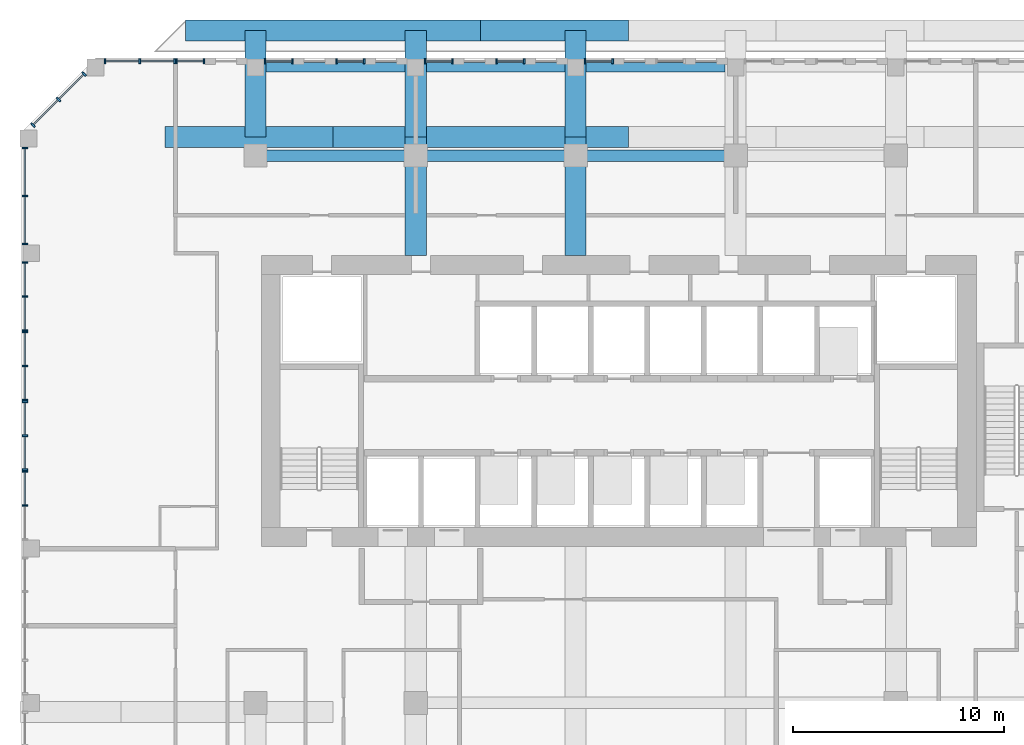
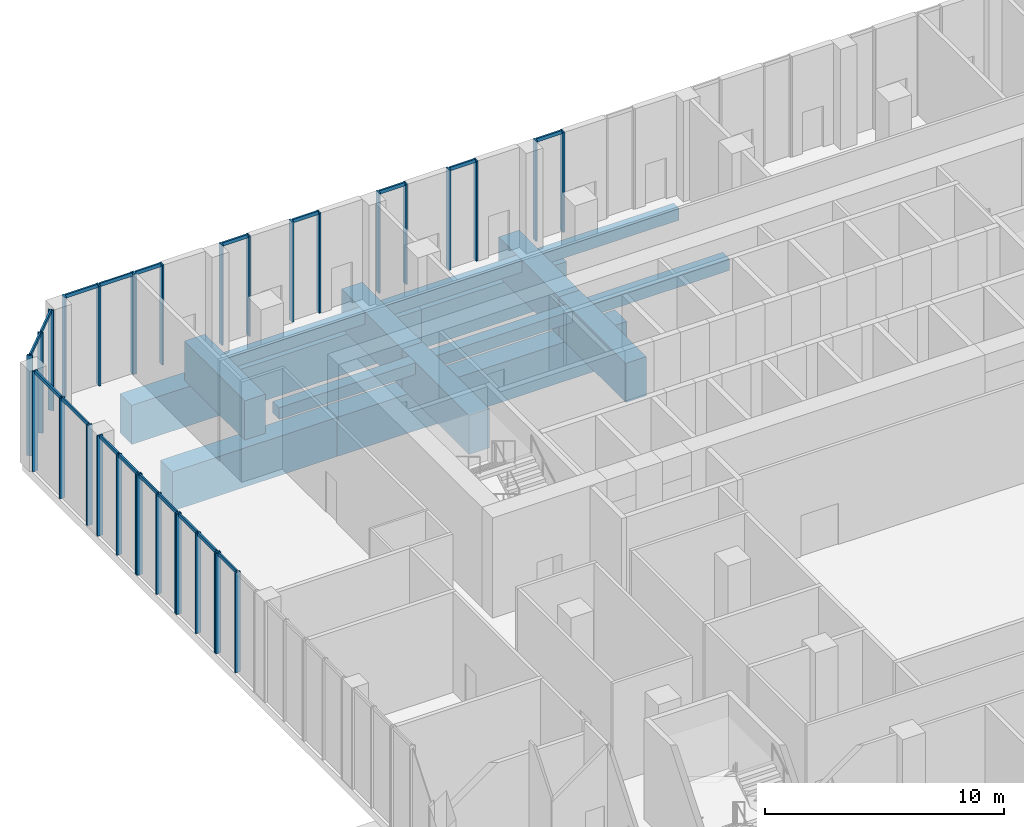
# One storey, part 5 of 19: 51 members, 15 beams, 13 elements without a shape of their own.
"""IFC4 building model written with IfcOpenShell, lengths in metres."""

from ifc_helpers import new_model, si_unit, direction, frame, origin, origin_2d, place, context, subcontext, project, spatial, rectangle, extrude, source, transform, mapped, material, material_profile, profile_set, type_object, element, aggregate, save


model = new_model("IFC4")

# Units and contexts
model_context = context("Model", 3, precision=1e-05, world=origin(), true_north=direction((0.0, 1.0)))
body_context = subcontext(model_context, "Body", "Model", "MODEL_VIEW")
ifc_project = project(units=[si_unit("LENGTHUNIT", "METRE"), si_unit("AREAUNIT", "SQUARE_METRE"), si_unit("VOLUMEUNIT", "CUBIC_METRE"), si_unit("PLANEANGLEUNIT", "RADIAN"), si_unit("MASSUNIT", "GRAM", prefix="KILO")], contexts=[model_context])

# Site, building, storey
site_placement = place(None, origin())
site = spatial("IfcSite", under=ifc_project, at=site_placement, CompositionType="ELEMENT")
building_placement = place(site_placement, origin())
building = spatial("IfcBuilding", under=site, at=building_placement, Name="Kilnfold Tower and Market Hall", CompositionType="ELEMENT")
storey_placement = place(building_placement, frame((0.0, 0.0, 138.5)))
storey = spatial("IfcBuildingStorey", under=building, at=storey_placement, Name="L31", CompositionType="ELEMENT", Elevation=138.5)

# Beams
ifc_material_1 = material(Name="Concrete C60", Category="concrete")
ifc_material_profile_1 = material_profile(ifc_material_1, rectangle(XDim=1.0, YDim=2.0, at=origin_2d()), Name="RC 1000x2000")
ifc_profile_set_1 = profile_set([ifc_material_profile_1], Name="Concrete C60")
beam_type_1 = type_object("IfcBeamType", Name="TRANSFER GIRDER 1000X2000 C60", PredefinedType="BEAM", material=ifc_profile_set_1)
shared_shape_1 = source(origin(), body_context, "Body", "SweptSolid", [
    extrude(rectangle(XDim=1.0, YDim=2.0, at=origin_2d()), origin(), (0.0, 0.0, 1.0), 7.949951171875),
])
beam_1_placement = place(storey_placement, frame((-20.449951171875, 27.5, -3.39990234375), z_axis=(1.0, 0.0, 0.0), x_axis=(0.0, 1.0, 0.0)))
element("IfcBeam", 1, at=beam_1_placement, inside=storey, type_object=beam_type_1, Name="Beam TG2000-B4.3", PredefinedType="BEAM", context=body_context, shape_type="MappedRepresentation", body=[
    mapped(shared_shape_1, transform((0.0, 0.0, 0.0))),
])
shared_shape_2 = source(origin(), body_context, "Body", "SweptSolid", [
    extrude(rectangle(XDim=1.0, YDim=2.0, at=origin_2d()), origin(), (0.0, 0.0, 1.0), 14.0),
])
for number, where, z_axis, x_axis, name in (
    (2, (-19.5, 32.550048828125, -3.39990234375), (1.0, 0.0, 0.0), (0.0, 1.0, 0.0), "Beam TG2000-B4.5"),
    (3, (-12.5, 27.5, -3.39990234375), (1.0, 0.0, 0.0), (0.0, 1.0, 0.0), "Beam TG2000-B4.7"),
):
    element("IfcBeam", number, at=place(storey_placement, frame(where, z_axis=z_axis, x_axis=x_axis)), inside=storey, type_object=beam_type_1, Name=name, PredefinedType="BEAM", context=body_context, shape_type="MappedRepresentation", body=[
        mapped(shared_shape_2, transform((0.0, 0.0, 0.0))),
    ])
shared_shape_3 = source(origin(), body_context, "Body", "SweptSolid", [
    extrude(rectangle(XDim=1.0, YDim=2.0, at=origin_2d()), origin(), (0.0, 0.0, 1.0), 7.0),
])
beam_2_placement = place(storey_placement, frame((-5.5, 32.550048828125, -3.39990234375), z_axis=(1.0, 0.0, 0.0), x_axis=(0.0, 1.0, 0.0)))
element("IfcBeam", 4, at=beam_2_placement, inside=storey, type_object=beam_type_1, Name="Beam TG2000-B4.10", PredefinedType="BEAM", context=body_context, shape_type="MappedRepresentation", body=[
    mapped(shared_shape_3, transform((0.0, 0.0, 0.0))),
])
shared_shape_4 = source(origin(), body_context, "Body", "SweptSolid", [
    extrude(rectangle(XDim=1.0, YDim=2.0, at=origin_2d()), origin(), (0.0, 0.0, 1.0), 5.050048828125),
])
for number, where, z_axis, x_axis, name in (
    (5, (-16.169921875, 27.5, -1.39990234375), (0.0, 1.0, 0.0), (-1.0, 0.0, 0.0), "Beam TG2000-B4.30"),
    (6, (-8.580078125, 27.5, -1.39990234375), (0.0, 1.0, 0.0), (-1.0, 0.0, 0.0), "Beam TG2000-B4.34"),
    (7, (-1.0, 27.5, -1.39990234375), (0.0, 1.0, 0.0), (-1.0, 0.0, 0.0), "Beam TG2000-B4.38"),
):
    element("IfcBeam", number, at=place(storey_placement, frame(where, z_axis=z_axis, x_axis=x_axis)), inside=storey, type_object=beam_type_1, Name=name, PredefinedType="BEAM", context=body_context, shape_type="MappedRepresentation", body=[
        mapped(shared_shape_4, transform((0.0, 0.0, 0.0))),
    ])
shared_shape_5 = source(origin(), body_context, "Body", "SweptSolid", [
    extrude(rectangle(XDim=1.0, YDim=2.0, at=origin_2d()), origin(), (0.0, 0.0, 1.0), 5.60009765625),
])
for number, where, z_axis, x_axis, name in (
    (8, (-8.580078125, 21.89990234375, -1.39990234375), (0.0, 1.0, 0.0), (-1.0, 0.0, 0.0), "Beam TG2000-B4.33"),
    (9, (-1.0, 21.89990234375, -1.39990234375), (0.0, 1.0, 0.0), (-1.0, 0.0, 0.0), "Beam TG2000-B4.37"),
):
    element("IfcBeam", number, at=place(storey_placement, frame(where, z_axis=z_axis, x_axis=x_axis)), inside=storey, type_object=beam_type_1, Name=name, PredefinedType="BEAM", context=body_context, shape_type="MappedRepresentation", body=[
        mapped(shared_shape_5, transform((0.0, 0.0, 0.0))),
    ])
ifc_material_2 = material(Name="Concrete C45", Category="concrete")
ifc_material_profile_2 = material_profile(ifc_material_2, rectangle(XDim=0.449951171875, YDim=0.60009765625, at=origin_2d()), Name="RC 450x600")
ifc_profile_set_2 = profile_set([ifc_material_profile_2], Name="Concrete C45")
beam_type_2 = type_object("IfcBeamType", Name="EDGE BEAM 450X600 C45", PredefinedType="BEAM", material=ifc_profile_set_2)
shared_shape_6 = source(origin(), body_context, "Body", "SweptSolid", [
    extrude(rectangle(XDim=0.449951171875, YDim=0.60009765625, at=origin_2d()), origin(), (0.0, 0.0, 1.0), 6.58984375),
])
beam_3_placement = place(storey_placement, frame((-15.669921875, 30.800048828125, -0.699951171875), z_axis=(1.0, 0.0, 0.0), x_axis=(0.0, 1.0, 0.0)))
element("IfcBeam", 10, at=beam_3_placement, inside=storey, type_object=beam_type_2, Name="Beam EB600-B4.71", PredefinedType="BEAM", context=body_context, shape_type="MappedRepresentation", body=[
    mapped(shared_shape_6, transform((0.0, 0.0, 0.0))),
])
shared_shape_7 = source(origin(), body_context, "Body", "SweptSolid", [
    extrude(rectangle(XDim=0.449951171875, YDim=0.60009765625, at=origin_2d()), origin(), (0.0, 0.0, 1.0), 6.580078125),
])
for number, where, z_axis, x_axis, name in (
    (11, (-8.080078125, 30.800048828125, -0.699951171875), (1.0, 0.0, 0.0), (0.0, 1.0, 0.0), "Beam EB600-B4.72"),
    (12, (-0.5, 30.800048828125, -0.699951171875), (1.0, 0.0, 0.0), (0.0, 1.0, 0.0), "Beam EB600-B4.73"),
):
    element("IfcBeam", number, at=place(storey_placement, frame(where, z_axis=z_axis, x_axis=x_axis)), inside=storey, type_object=beam_type_2, Name=name, PredefinedType="BEAM", context=body_context, shape_type="MappedRepresentation", body=[
        mapped(shared_shape_7, transform((0.0, 0.0, 0.0))),
    ])
ifc_material_3 = material(Name="Concrete C45", Category="concrete")
ifc_material_profile_3 = material_profile(ifc_material_3, rectangle(XDim=0.550048828125, YDim=0.60009765625, at=origin_2d()), Name="RC 550x600")
ifc_profile_set_3 = profile_set([ifc_material_profile_3], Name="Concrete C45")
beam_type_3 = type_object("IfcBeamType", Name="BEAM 550X600 C45", PredefinedType="BEAM", material=ifc_profile_set_3)
shared_shape_8 = source(origin(), body_context, "Body", "SweptSolid", [
    extrude(rectangle(XDim=0.550048828125, YDim=0.60009765625, at=origin_2d()), origin(), (0.0, 0.0, 1.0), 6.580078125),
])
for number, where, z_axis, x_axis, name in (
    (13, (-8.080078125, 26.6201171875, -0.699951171875), (1.0, 0.0, 0.0), (0.0, 1.0, 0.0), "Beam BB600-B4.68"),
    (14, (-0.5, 26.6201171875, -0.699951171875), (1.0, 0.0, 0.0), (0.0, 1.0, 0.0), "Beam BB600-B4.69"),
):
    element("IfcBeam", number, at=place(storey_placement, frame(where, z_axis=z_axis, x_axis=x_axis)), inside=storey, type_object=beam_type_3, Name=name, PredefinedType="BEAM", context=body_context, shape_type="MappedRepresentation", body=[
        mapped(shared_shape_8, transform((0.0, 0.0, 0.0))),
    ])
shared_shape_9 = source(origin(), body_context, "Body", "SweptSolid", [
    extrude(rectangle(XDim=0.550048828125, YDim=0.60009765625, at=origin_2d()), origin(), (0.0, 0.0, 1.0), 6.58984375),
])
beam_4_placement = place(storey_placement, frame((-15.669921875, 26.6201171875, -0.699951171875), z_axis=(1.0, 0.0, 0.0), x_axis=(0.0, 1.0, 0.0)))
element("IfcBeam", 15, at=beam_4_placement, inside=storey, type_object=beam_type_3, Name="Beam BB600-B4.67", PredefinedType="BEAM", context=body_context, shape_type="MappedRepresentation", body=[
    mapped(shared_shape_9, transform((0.0, 0.0, 0.0))),
])

# Curtain wall, members
ifc_material_4 = material(Name="Aluminium and double glazing", Category="aluminium")
curtain_wall_type = type_object("IfcCurtainWallType", Name="CW SKY LOBBY GLAZING", PredefinedType="NOTDEFINED", material=ifc_material_4)
curtain_wall_1_placement = place(storey_placement, origin())
curtain_wall_1 = element("IfcCurtainWall", 16, at=curtain_wall_1_placement, inside=storey, type_object=curtain_wall_type, Name="Curtain wall CW3 L31 N", PredefinedType="NOTDEFINED")
ifc_material_5 = material(Name="Aluminium", Category="aluminium")
ifc_material_profile_4 = material_profile(ifc_material_5, rectangle(XDim=0.080078125, YDim=0.25, at=origin_2d()), Name="MULLION 80x250")
ifc_profile_set_4 = profile_set([ifc_material_profile_4], Name="Aluminium")
member_type_1 = type_object("IfcMemberType", Name="MULLION 80X250", PredefinedType="MULLION", material=ifc_profile_set_4)
shared_shape_10 = source(origin(), body_context, "Body", "SweptSolid", [
    extrude(rectangle(XDim=0.080078125, YDim=0.25, at=origin_2d()), origin(), (0.0, 0.0, 1.0), 5.1201171875),
])
member_1_placement = place(storey_placement, frame((0.751708984375, 31.10009765625, 0.0), z_axis=(0.0, 0.0, 1.0), x_axis=(-1.0, 0.0, 0.0)))
member_1 = element("IfcMember", 17, at=member_1_placement, type_object=member_type_1, Name="CW3 mullion 1", PredefinedType="MULLION", context=body_context, shape_type="MappedRepresentation", body=[
    mapped(shared_shape_10, transform((0.0, 0.0, 0.0))),
])
member_2_placement = place(storey_placement, frame((-0.56005859375, 31.10009765625, 0.0), z_axis=(0.0, 0.0, 1.0), x_axis=(-1.0, 0.0, 0.0)))
member_2 = element("IfcMember", 18, at=member_2_placement, type_object=member_type_1, Name="CW3 mullion 2", PredefinedType="MULLION", context=body_context, shape_type="MappedRepresentation", body=[
    mapped(shared_shape_10, transform((0.0, 0.0, 0.0))),
])

curtain_wall_2_placement = place(storey_placement, origin())
curtain_wall_2 = element("IfcCurtainWall", 19, at=curtain_wall_2_placement, inside=storey, type_object=curtain_wall_type, Name="Curtain wall CW3 L31 N", PredefinedType="NOTDEFINED")
member_3_placement = place(storey_placement, frame((-3.43994140625, 31.10009765625, 0.0), z_axis=(0.0, 0.0, 1.0), x_axis=(-1.0, 0.0, 0.0)))
member_3 = element("IfcMember", 20, at=member_3_placement, type_object=member_type_1, Name="CW3 mullion 1", PredefinedType="MULLION", context=body_context, shape_type="MappedRepresentation", body=[
    mapped(shared_shape_10, transform((0.0, 0.0, 0.0))),
])
member_4_placement = place(storey_placement, frame((-4.751708984375, 31.10009765625, 0.0), z_axis=(0.0, 0.0, 1.0), x_axis=(-1.0, 0.0, 0.0)))
member_4 = element("IfcMember", 21, at=member_4_placement, type_object=member_type_1, Name="CW3 mullion 2", PredefinedType="MULLION", context=body_context, shape_type="MappedRepresentation", body=[
    mapped(shared_shape_10, transform((0.0, 0.0, 0.0))),
])

curtain_wall_3_placement = place(storey_placement, origin())
curtain_wall_3 = element("IfcCurtainWall", 22, at=curtain_wall_3_placement, inside=storey, type_object=curtain_wall_type, Name="Curtain wall CW3 L31 N", PredefinedType="NOTDEFINED")
member_5_placement = place(storey_placement, frame((-6.83154296875, 31.10009765625, 0.0), z_axis=(0.0, 0.0, 1.0), x_axis=(-1.0, 0.0, 0.0)))
member_5 = element("IfcMember", 23, at=member_5_placement, type_object=member_type_1, Name="CW3 mullion 1", PredefinedType="MULLION", context=body_context, shape_type="MappedRepresentation", body=[
    mapped(shared_shape_10, transform((0.0, 0.0, 0.0))),
])
member_6_placement = place(storey_placement, frame((-8.143310546875, 31.10009765625, 0.0), z_axis=(0.0, 0.0, 1.0), x_axis=(-1.0, 0.0, 0.0)))
member_6 = element("IfcMember", 24, at=member_6_placement, type_object=member_type_1, Name="CW3 mullion 2", PredefinedType="MULLION", context=body_context, shape_type="MappedRepresentation", body=[
    mapped(shared_shape_10, transform((0.0, 0.0, 0.0))),
])

curtain_wall_4_placement = place(storey_placement, origin())
curtain_wall_4 = element("IfcCurtainWall", 25, at=curtain_wall_4_placement, inside=storey, type_object=curtain_wall_type, Name="Curtain wall CW3 L31 N", PredefinedType="NOTDEFINED")
member_7_placement = place(storey_placement, frame((-11.023193359375, 31.10009765625, 0.0), z_axis=(0.0, 0.0, 1.0), x_axis=(-1.0, 0.0, 0.0)))
member_7 = element("IfcMember", 26, at=member_7_placement, type_object=member_type_1, Name="CW3 mullion 1", PredefinedType="MULLION", context=body_context, shape_type="MappedRepresentation", body=[
    mapped(shared_shape_10, transform((0.0, 0.0, 0.0))),
])
member_8_placement = place(storey_placement, frame((-12.3349609375, 31.10009765625, 0.0), z_axis=(0.0, 0.0, 1.0), x_axis=(-1.0, 0.0, 0.0)))
member_8 = element("IfcMember", 27, at=member_8_placement, type_object=member_type_1, Name="CW3 mullion 2", PredefinedType="MULLION", context=body_context, shape_type="MappedRepresentation", body=[
    mapped(shared_shape_10, transform((0.0, 0.0, 0.0))),
])

curtain_wall_5_placement = place(storey_placement, origin())
curtain_wall_5 = element("IfcCurtainWall", 28, at=curtain_wall_5_placement, inside=storey, type_object=curtain_wall_type, Name="Curtain wall CW3 L31 N", PredefinedType="NOTDEFINED")
member_9_placement = place(storey_placement, frame((-14.4150390625, 31.10009765625, 0.0), z_axis=(0.0, 0.0, 1.0), x_axis=(-1.0, 0.0, 0.0)))
member_9 = element("IfcMember", 29, at=member_9_placement, type_object=member_type_1, Name="CW3 mullion 1", PredefinedType="MULLION", context=body_context, shape_type="MappedRepresentation", body=[
    mapped(shared_shape_10, transform((0.0, 0.0, 0.0))),
])
member_10_placement = place(storey_placement, frame((-15.726806640625, 31.10009765625, 0.0), z_axis=(0.0, 0.0, 1.0), x_axis=(-1.0, 0.0, 0.0)))
member_10 = element("IfcMember", 30, at=member_10_placement, type_object=member_type_1, Name="CW3 mullion 2", PredefinedType="MULLION", context=body_context, shape_type="MappedRepresentation", body=[
    mapped(shared_shape_10, transform((0.0, 0.0, 0.0))),
])

curtain_wall_6_placement = place(storey_placement, origin())
curtain_wall_6 = element("IfcCurtainWall", 31, at=curtain_wall_6_placement, inside=storey, type_object=curtain_wall_type, Name="Curtain wall CW3 L31 N", PredefinedType="NOTDEFINED")
member_11_placement = place(storey_placement, frame((-18.606689453125, 31.10009765625, 0.0), z_axis=(0.0, 0.0, 1.0), x_axis=(-1.0, 0.0, 0.0)))
member_11 = element("IfcMember", 32, at=member_11_placement, type_object=member_type_1, Name="CW3 mullion 1", PredefinedType="MULLION", context=body_context, shape_type="MappedRepresentation", body=[
    mapped(shared_shape_10, transform((0.0, 0.0, 0.0))),
])
member_12_placement = place(storey_placement, frame((-19.918212890625, 31.10009765625, 0.0), z_axis=(0.0, 0.0, 1.0), x_axis=(-1.0, 0.0, 0.0)))
member_12 = element("IfcMember", 33, at=member_12_placement, type_object=member_type_1, Name="CW3 mullion 2", PredefinedType="MULLION", context=body_context, shape_type="MappedRepresentation", body=[
    mapped(shared_shape_10, transform((0.0, 0.0, 0.0))),
])

curtain_wall_7_placement = place(storey_placement, origin())
curtain_wall_7 = element("IfcCurtainWall", 34, at=curtain_wall_7_placement, inside=storey, type_object=curtain_wall_type, Name="Curtain wall CW3 L31 N", PredefinedType="NOTDEFINED")
member_13_placement = place(storey_placement, frame((-19.998291015625, 31.10009765625, 0.0), z_axis=(0.0, 0.0, 1.0), x_axis=(-1.0, 0.0, 0.0)))
member_13 = element("IfcMember", 35, at=member_13_placement, type_object=member_type_1, Name="CW3 mullion 1", PredefinedType="MULLION", context=body_context, shape_type="MappedRepresentation", body=[
    mapped(shared_shape_10, transform((0.0, 0.0, 0.0))),
])
member_14_placement = place(storey_placement, frame((-21.654052734375, 31.10009765625, 0.0), z_axis=(0.0, 0.0, 1.0), x_axis=(-1.0, 0.0, 0.0)))
member_14 = element("IfcMember", 36, at=member_14_placement, type_object=member_type_1, Name="CW3 mullion 2", PredefinedType="MULLION", context=body_context, shape_type="MappedRepresentation", body=[
    mapped(shared_shape_10, transform((0.0, 0.0, 0.0))),
])
member_15_placement = place(storey_placement, frame((-23.31005859375, 31.10009765625, 0.0), z_axis=(0.0, 0.0, 1.0), x_axis=(-1.0, 0.0, 0.0)))
member_15 = element("IfcMember", 37, at=member_15_placement, type_object=member_type_1, Name="CW3 mullion 3", PredefinedType="MULLION", context=body_context, shape_type="MappedRepresentation", body=[
    mapped(shared_shape_10, transform((0.0, 0.0, 0.0))),
])

curtain_wall_8_placement = place(storey_placement, origin())
curtain_wall_8 = element("IfcCurtainWall", 38, at=curtain_wall_8_placement, inside=storey, type_object=curtain_wall_type, Name="Curtain wall CW3 L31 NW", PredefinedType="NOTDEFINED")
member_16_placement = place(storey_placement, frame((-24.297119140625, 30.49072265625, 0.0), z_axis=(0.0, 0.0, 1.0), x_axis=(-0.707121065738, -0.707092496347, 0.0)))
member_16 = element("IfcMember", 39, at=member_16_placement, type_object=member_type_1, Name="CW3 mullion 1", PredefinedType="MULLION", context=body_context, shape_type="MappedRepresentation", body=[
    mapped(shared_shape_10, transform((0.0, 0.0, 0.0))),
])
member_17_placement = place(storey_placement, frame((-25.50634765625, 29.281494140625, 0.0), z_axis=(0.0, 0.0, 1.0), x_axis=(-0.707121065738, -0.707092496347, 0.0)))
member_17 = element("IfcMember", 40, at=member_17_placement, type_object=member_type_1, Name="CW3 mullion 2", PredefinedType="MULLION", context=body_context, shape_type="MappedRepresentation", body=[
    mapped(shared_shape_10, transform((0.0, 0.0, 0.0))),
])
member_18_placement = place(storey_placement, frame((-26.7158203125, 28.072265625, 0.0), z_axis=(0.0, 0.0, 1.0), x_axis=(-0.707121065738, -0.707092496347, 0.0)))
member_18 = element("IfcMember", 41, at=member_18_placement, type_object=member_type_1, Name="CW3 mullion 3", PredefinedType="MULLION", context=body_context, shape_type="MappedRepresentation", body=[
    mapped(shared_shape_10, transform((0.0, 0.0, 0.0))),
])

curtain_wall_9_placement = place(storey_placement, origin())
curtain_wall_9 = element("IfcCurtainWall", 42, at=curtain_wall_9_placement, inside=storey, type_object=curtain_wall_type, Name="Curtain wall CW3 L31 W", PredefinedType="NOTDEFINED")
member_19_placement = place(storey_placement, frame((-27.10009765625, 26.99169921875, 0.0), z_axis=(0.0, 0.0, 1.0), x_axis=(0.0, -1.0, 0.0)))
member_19 = element("IfcMember", 43, at=member_19_placement, type_object=member_type_1, Name="CW3 mullion 1", PredefinedType="MULLION", context=body_context, shape_type="MappedRepresentation", body=[
    mapped(shared_shape_10, transform((0.0, 0.0, 0.0))),
])
member_20_placement = place(storey_placement, frame((-27.10009765625, 24.7158203125, 0.0), z_axis=(0.0, 0.0, 1.0), x_axis=(0.0, -1.0, 0.0)))
member_20 = element("IfcMember", 44, at=member_20_placement, type_object=member_type_1, Name="CW3 mullion 2", PredefinedType="MULLION", context=body_context, shape_type="MappedRepresentation", body=[
    mapped(shared_shape_10, transform((0.0, 0.0, 0.0))),
])
member_21_placement = place(storey_placement, frame((-27.10009765625, 22.43994140625, 0.0), z_axis=(0.0, 0.0, 1.0), x_axis=(0.0, -1.0, 0.0)))
member_21 = element("IfcMember", 45, at=member_21_placement, type_object=member_type_1, Name="CW3 mullion 3", PredefinedType="MULLION", context=body_context, shape_type="MappedRepresentation", body=[
    mapped(shared_shape_10, transform((0.0, 0.0, 0.0))),
])

curtain_wall_10_placement = place(storey_placement, origin())
curtain_wall_10 = element("IfcCurtainWall", 46, at=curtain_wall_10_placement, inside=storey, type_object=curtain_wall_type, Name="Curtain wall CW3 L31 W", PredefinedType="NOTDEFINED")
member_22_placement = place(storey_placement, frame((-27.10009765625, 21.56005859375, 0.0), z_axis=(0.0, 0.0, 1.0), x_axis=(0.0, -1.0, 0.0)))
member_22 = element("IfcMember", 47, at=member_22_placement, type_object=member_type_1, Name="CW3 mullion 1", PredefinedType="MULLION", context=body_context, shape_type="MappedRepresentation", body=[
    mapped(shared_shape_10, transform((0.0, 0.0, 0.0))),
])
member_23_placement = place(storey_placement, frame((-27.10009765625, 19.949951171875, 0.0), z_axis=(0.0, 0.0, 1.0), x_axis=(0.0, -1.0, 0.0)))
member_23 = element("IfcMember", 48, at=member_23_placement, type_object=member_type_1, Name="CW3 mullion 2", PredefinedType="MULLION", context=body_context, shape_type="MappedRepresentation", body=[
    mapped(shared_shape_10, transform((0.0, 0.0, 0.0))),
])
member_24_placement = place(storey_placement, frame((-27.10009765625, 18.340087890625, 0.0), z_axis=(0.0, 0.0, 1.0), x_axis=(0.0, -1.0, 0.0)))
member_24 = element("IfcMember", 49, at=member_24_placement, type_object=member_type_1, Name="CW3 mullion 3", PredefinedType="MULLION", context=body_context, shape_type="MappedRepresentation", body=[
    mapped(shared_shape_10, transform((0.0, 0.0, 0.0))),
])

curtain_wall_11_placement = place(storey_placement, origin())
curtain_wall_11 = element("IfcCurtainWall", 50, at=curtain_wall_11_placement, inside=storey, type_object=curtain_wall_type, Name="Curtain wall CW3 L31 W", PredefinedType="NOTDEFINED")
member_25_placement = place(storey_placement, frame((-27.10009765625, 18.260009765625, 0.0), z_axis=(0.0, 0.0, 1.0), x_axis=(0.0, -1.0, 0.0)))
member_25 = element("IfcMember", 51, at=member_25_placement, type_object=member_type_1, Name="CW3 mullion 1", PredefinedType="MULLION", context=body_context, shape_type="MappedRepresentation", body=[
    mapped(shared_shape_10, transform((0.0, 0.0, 0.0))),
])
member_26_placement = place(storey_placement, frame((-27.10009765625, 16.64990234375, 0.0), z_axis=(0.0, 0.0, 1.0), x_axis=(0.0, -1.0, 0.0)))
member_26 = element("IfcMember", 52, at=member_26_placement, type_object=member_type_1, Name="CW3 mullion 2", PredefinedType="MULLION", context=body_context, shape_type="MappedRepresentation", body=[
    mapped(shared_shape_10, transform((0.0, 0.0, 0.0))),
])
member_27_placement = place(storey_placement, frame((-27.10009765625, 15.0400390625, 0.0), z_axis=(0.0, 0.0, 1.0), x_axis=(0.0, -1.0, 0.0)))
member_27 = element("IfcMember", 53, at=member_27_placement, type_object=member_type_1, Name="CW3 mullion 3", PredefinedType="MULLION", context=body_context, shape_type="MappedRepresentation", body=[
    mapped(shared_shape_10, transform((0.0, 0.0, 0.0))),
])

curtain_wall_12_placement = place(storey_placement, origin())
curtain_wall_12 = element("IfcCurtainWall", 54, at=curtain_wall_12_placement, inside=storey, type_object=curtain_wall_type, Name="Curtain wall CW3 L31 W", PredefinedType="NOTDEFINED")
member_28_placement = place(storey_placement, frame((-27.10009765625, 14.9599609375, 0.0), z_axis=(0.0, 0.0, 1.0), x_axis=(0.0, -1.0, 0.0)))
member_28 = element("IfcMember", 55, at=member_28_placement, type_object=member_type_1, Name="CW3 mullion 1", PredefinedType="MULLION", context=body_context, shape_type="MappedRepresentation", body=[
    mapped(shared_shape_10, transform((0.0, 0.0, 0.0))),
])
member_29_placement = place(storey_placement, frame((-27.10009765625, 13.35009765625, 0.0), z_axis=(0.0, 0.0, 1.0), x_axis=(0.0, -1.0, 0.0)))
member_29 = element("IfcMember", 56, at=member_29_placement, type_object=member_type_1, Name="CW3 mullion 2", PredefinedType="MULLION", context=body_context, shape_type="MappedRepresentation", body=[
    mapped(shared_shape_10, transform((0.0, 0.0, 0.0))),
])
member_30_placement = place(storey_placement, frame((-27.10009765625, 11.739990234375, 0.0), z_axis=(0.0, 0.0, 1.0), x_axis=(0.0, -1.0, 0.0)))
member_30 = element("IfcMember", 57, at=member_30_placement, type_object=member_type_1, Name="CW3 mullion 3", PredefinedType="MULLION", context=body_context, shape_type="MappedRepresentation", body=[
    mapped(shared_shape_10, transform((0.0, 0.0, 0.0))),
])

curtain_wall_13_placement = place(storey_placement, origin())
curtain_wall_13 = element("IfcCurtainWall", 58, at=curtain_wall_13_placement, inside=storey, type_object=curtain_wall_type, Name="Curtain wall CW3 L31 W", PredefinedType="NOTDEFINED")
member_31_placement = place(storey_placement, frame((-27.10009765625, 11.659912109375, 0.0), z_axis=(0.0, 0.0, 1.0), x_axis=(0.0, -1.0, 0.0)))
member_31 = element("IfcMember", 59, at=member_31_placement, type_object=member_type_1, Name="CW3 mullion 1", PredefinedType="MULLION", context=body_context, shape_type="MappedRepresentation", body=[
    mapped(shared_shape_10, transform((0.0, 0.0, 0.0))),
])
member_32_placement = place(storey_placement, frame((-27.10009765625, 10.050048828125, 0.0), z_axis=(0.0, 0.0, 1.0), x_axis=(0.0, -1.0, 0.0)))
member_32 = element("IfcMember", 60, at=member_32_placement, type_object=member_type_1, Name="CW3 mullion 2", PredefinedType="MULLION", context=body_context, shape_type="MappedRepresentation", body=[
    mapped(shared_shape_10, transform((0.0, 0.0, 0.0))),
])

# Member
ifc_material_6 = material(Name="Aluminium", Category="aluminium")
ifc_material_profile_5 = material_profile(ifc_material_6, rectangle(XDim=0.080078125, YDim=0.179931640625, at=origin_2d()), Name="TRANSOM 80x180")
ifc_profile_set_5 = profile_set([ifc_material_profile_5], Name="Aluminium")
member_type_2 = type_object("IfcMemberType", Name="TRANSOM 80X180", PredefinedType="USERDEFINED", material=ifc_profile_set_5)
shared_shape_11 = source(origin(), body_context, "Body", "SweptSolid", [
    extrude(rectangle(XDim=0.080078125, YDim=0.179931640625, at=origin_2d()), origin(), (0.0, 0.0, 1.0), 1.575927734375),
])
member_33_placement = place(storey_placement, frame((-20.038330078125, 31.10009765625, 5.080078125), z_axis=(-1.0, 0.0, 0.0), x_axis=(0.0, -1.0, 0.0)))
member_33 = element("IfcMember", 61, at=member_33_placement, type_object=member_type_2, Name="CW3 transom 1.2", ObjectType="TRANSOM", PredefinedType="USERDEFINED", context=body_context, shape_type="MappedRepresentation", body=[
    mapped(shared_shape_11, transform((0.0, 0.0, 0.0))),
])

member_34_placement = place(storey_placement, frame((-21.694091796875, 31.10009765625, 5.080078125), z_axis=(-1.0, 0.0, 0.0), x_axis=(0.0, -1.0, 0.0)))
member_34 = element("IfcMember", 62, at=member_34_placement, type_object=member_type_2, Name="CW3 transom 2.2", ObjectType="TRANSOM", PredefinedType="USERDEFINED", context=body_context, shape_type="MappedRepresentation", body=[
    mapped(shared_shape_11, transform((0.0, 0.0, 0.0))),
])

aggregate(curtain_wall_7, [member_13, member_14, member_15, member_33, member_34])

shared_shape_12 = source(origin(), body_context, "Body", "SweptSolid", [
    extrude(rectangle(XDim=0.080078125, YDim=0.179931640625, at=origin_2d()), origin(), (0.0, 0.0, 1.0), 1.231689453125),
])
member_35_placement = place(storey_placement, frame((0.711669921875, 31.10009765625, 5.080078125), z_axis=(-1.0, 0.0, 0.0), x_axis=(0.0, -1.0, 0.0)))
member_35 = element("IfcMember", 63, at=member_35_placement, type_object=member_type_2, Name="CW3 transom 1.2", ObjectType="TRANSOM", PredefinedType="USERDEFINED", context=body_context, shape_type="MappedRepresentation", body=[
    mapped(shared_shape_12, transform((0.0, 0.0, 0.0))),
])

aggregate(curtain_wall_1, [member_1, member_2, member_35])

member_36_placement = place(storey_placement, frame((-3.47998046875, 31.10009765625, 5.080078125), z_axis=(-1.0, 0.0, 0.0), x_axis=(0.0, -1.0, 0.0)))
member_36 = element("IfcMember", 64, at=member_36_placement, type_object=member_type_2, Name="CW3 transom 1.2", ObjectType="TRANSOM", PredefinedType="USERDEFINED", context=body_context, shape_type="MappedRepresentation", body=[
    mapped(shared_shape_12, transform((0.0, 0.0, 0.0))),
])

aggregate(curtain_wall_2, [member_3, member_4, member_36])

member_37_placement = place(storey_placement, frame((-6.87158203125, 31.10009765625, 5.080078125), z_axis=(-1.0, 0.0, 0.0), x_axis=(0.0, -1.0, 0.0)))
member_37 = element("IfcMember", 65, at=member_37_placement, type_object=member_type_2, Name="CW3 transom 1.2", ObjectType="TRANSOM", PredefinedType="USERDEFINED", context=body_context, shape_type="MappedRepresentation", body=[
    mapped(shared_shape_12, transform((0.0, 0.0, 0.0))),
])

aggregate(curtain_wall_3, [member_5, member_6, member_37])

member_38_placement = place(storey_placement, frame((-11.063232421875, 31.10009765625, 5.080078125), z_axis=(-1.0, 0.0, 0.0), x_axis=(0.0, -1.0, 0.0)))
member_38 = element("IfcMember", 66, at=member_38_placement, type_object=member_type_2, Name="CW3 transom 1.2", ObjectType="TRANSOM", PredefinedType="USERDEFINED", context=body_context, shape_type="MappedRepresentation", body=[
    mapped(shared_shape_12, transform((0.0, 0.0, 0.0))),
])

aggregate(curtain_wall_4, [member_7, member_8, member_38])

member_39_placement = place(storey_placement, frame((-14.455078125, 31.10009765625, 5.080078125), z_axis=(-1.0, 0.0, 0.0), x_axis=(0.0, -1.0, 0.0)))
member_39 = element("IfcMember", 67, at=member_39_placement, type_object=member_type_2, Name="CW3 transom 1.2", ObjectType="TRANSOM", PredefinedType="USERDEFINED", context=body_context, shape_type="MappedRepresentation", body=[
    mapped(shared_shape_12, transform((0.0, 0.0, 0.0))),
])

aggregate(curtain_wall_5, [member_9, member_10, member_39])

member_40_placement = place(storey_placement, frame((-18.646728515625, 31.10009765625, 5.080078125), z_axis=(-1.0, 0.0, 0.0), x_axis=(0.0, -1.0, 0.0)))
member_40 = element("IfcMember", 68, at=member_40_placement, type_object=member_type_2, Name="CW3 transom 1.2", ObjectType="TRANSOM", PredefinedType="USERDEFINED", context=body_context, shape_type="MappedRepresentation", body=[
    mapped(shared_shape_12, transform((0.0, 0.0, 0.0))),
])

aggregate(curtain_wall_6, [member_11, member_12, member_40])

shared_shape_13 = source(origin(), body_context, "Body", "SweptSolid", [
    extrude(rectangle(XDim=0.080078125, YDim=0.179931640625, at=origin_2d()), origin(), (0.0, 0.0, 1.0), 1.63037109375),
])
member_41_placement = place(storey_placement, frame((-24.325439453125, 30.46240234375, 5.080078125), z_axis=(-0.707106781187, -0.707106781187, 0.0), x_axis=(0.707106781187, -0.707106781187, 0.0)))
member_41 = element("IfcMember", 69, at=member_41_placement, type_object=member_type_2, Name="CW3 transom 1.2", ObjectType="TRANSOM", PredefinedType="USERDEFINED", context=body_context, shape_type="MappedRepresentation", body=[
    mapped(shared_shape_13, transform((0.0, 0.0, 0.0))),
])

shared_shape_14 = source(origin(), body_context, "Body", "SweptSolid", [
    extrude(rectangle(XDim=0.080078125, YDim=0.179931640625, at=origin_2d()), origin(), (0.0, 0.0, 1.0), 1.630126953125),
])
member_42_placement = place(storey_placement, frame((-25.53466796875, 29.253173828125, 5.080078125), z_axis=(-0.707181658803, -0.70703189564, 0.0), x_axis=(0.70703189564, -0.707181658803, 0.0)))
member_42 = element("IfcMember", 70, at=member_42_placement, type_object=member_type_2, Name="CW3 transom 2.2", ObjectType="TRANSOM", PredefinedType="USERDEFINED", context=body_context, shape_type="MappedRepresentation", body=[
    mapped(shared_shape_14, transform((0.0, 0.0, 0.0))),
])

aggregate(curtain_wall_8, [member_16, member_17, member_18, member_41, member_42])

shared_shape_15 = source(origin(), body_context, "Body", "SweptSolid", [
    extrude(rectangle(XDim=0.080078125, YDim=0.179931640625, at=origin_2d()), origin(), (0.0, 0.0, 1.0), 2.196044921875),
])
member_43_placement = place(storey_placement, frame((-27.10009765625, 26.951904296875, 5.080078125), z_axis=(0.0, -1.0, 0.0), x_axis=(1.0, 0.0, 0.0)))
member_43 = element("IfcMember", 71, at=member_43_placement, type_object=member_type_2, Name="CW3 transom 1.2", ObjectType="TRANSOM", PredefinedType="USERDEFINED", context=body_context, shape_type="MappedRepresentation", body=[
    mapped(shared_shape_15, transform((0.0, 0.0, 0.0))),
])

shared_shape_16 = source(origin(), body_context, "Body", "SweptSolid", [
    extrude(rectangle(XDim=0.080078125, YDim=0.179931640625, at=origin_2d()), origin(), (0.0, 0.0, 1.0), 2.19580078125),
])
member_44_placement = place(storey_placement, frame((-27.10009765625, 24.67578125, 5.080078125), z_axis=(0.0, -1.0, 0.0), x_axis=(1.0, 0.0, 0.0)))
member_44 = element("IfcMember", 72, at=member_44_placement, type_object=member_type_2, Name="CW3 transom 2.2", ObjectType="TRANSOM", PredefinedType="USERDEFINED", context=body_context, shape_type="MappedRepresentation", body=[
    mapped(shared_shape_16, transform((0.0, 0.0, 0.0))),
])

aggregate(curtain_wall_9, [member_19, member_20, member_21, member_43, member_44])

shared_shape_17 = source(origin(), body_context, "Body", "SweptSolid", [
    extrude(rectangle(XDim=0.080078125, YDim=0.179931640625, at=origin_2d()), origin(), (0.0, 0.0, 1.0), 1.530029296875),
])
member_45_placement = place(storey_placement, frame((-27.10009765625, 21.52001953125, 5.080078125), z_axis=(0.0, -1.0, 0.0), x_axis=(1.0, 0.0, 0.0)))
member_45 = element("IfcMember", 73, at=member_45_placement, type_object=member_type_2, Name="CW3 transom 1.2", ObjectType="TRANSOM", PredefinedType="USERDEFINED", context=body_context, shape_type="MappedRepresentation", body=[
    mapped(shared_shape_17, transform((0.0, 0.0, 0.0))),
])

member_46_placement = place(storey_placement, frame((-27.10009765625, 19.909912109375, 5.080078125), z_axis=(0.0, -1.0, 0.0), x_axis=(1.0, 0.0, 0.0)))
member_46 = element("IfcMember", 74, at=member_46_placement, type_object=member_type_2, Name="CW3 transom 2.2", ObjectType="TRANSOM", PredefinedType="USERDEFINED", context=body_context, shape_type="MappedRepresentation", body=[
    mapped(shared_shape_17, transform((0.0, 0.0, 0.0))),
])

aggregate(curtain_wall_10, [member_22, member_23, member_24, member_45, member_46])

member_47_placement = place(storey_placement, frame((-27.10009765625, 18.219970703125, 5.080078125), z_axis=(0.0, -1.0, 0.0), x_axis=(1.0, 0.0, 0.0)))
member_47 = element("IfcMember", 75, at=member_47_placement, type_object=member_type_2, Name="CW3 transom 1.2", ObjectType="TRANSOM", PredefinedType="USERDEFINED", context=body_context, shape_type="MappedRepresentation", body=[
    mapped(shared_shape_17, transform((0.0, 0.0, 0.0))),
])

member_48_placement = place(storey_placement, frame((-27.10009765625, 16.610107421875, 5.080078125), z_axis=(0.0, -1.0, 0.0), x_axis=(1.0, 0.0, 0.0)))
member_48 = element("IfcMember", 76, at=member_48_placement, type_object=member_type_2, Name="CW3 transom 2.2", ObjectType="TRANSOM", PredefinedType="USERDEFINED", context=body_context, shape_type="MappedRepresentation", body=[
    mapped(shared_shape_17, transform((0.0, 0.0, 0.0))),
])

aggregate(curtain_wall_11, [member_25, member_26, member_27, member_47, member_48])

member_49_placement = place(storey_placement, frame((-27.10009765625, 14.919921875, 5.080078125), z_axis=(0.0, -1.0, 0.0), x_axis=(1.0, 0.0, 0.0)))
member_49 = element("IfcMember", 77, at=member_49_placement, type_object=member_type_2, Name="CW3 transom 1.2", ObjectType="TRANSOM", PredefinedType="USERDEFINED", context=body_context, shape_type="MappedRepresentation", body=[
    mapped(shared_shape_17, transform((0.0, 0.0, 0.0))),
])

member_50_placement = place(storey_placement, frame((-27.10009765625, 13.31005859375, 5.080078125), z_axis=(0.0, -1.0, 0.0), x_axis=(1.0, 0.0, 0.0)))
member_50 = element("IfcMember", 78, at=member_50_placement, type_object=member_type_2, Name="CW3 transom 2.2", ObjectType="TRANSOM", PredefinedType="USERDEFINED", context=body_context, shape_type="MappedRepresentation", body=[
    mapped(shared_shape_17, transform((0.0, 0.0, 0.0))),
])

aggregate(curtain_wall_12, [member_28, member_29, member_30, member_49, member_50])

member_51_placement = place(storey_placement, frame((-27.10009765625, 11.6201171875, 5.080078125), z_axis=(0.0, -1.0, 0.0), x_axis=(1.0, 0.0, 0.0)))
member_51 = element("IfcMember", 79, at=member_51_placement, type_object=member_type_2, Name="CW3 transom 1.2", ObjectType="TRANSOM", PredefinedType="USERDEFINED", context=body_context, shape_type="MappedRepresentation", body=[
    mapped(shared_shape_17, transform((0.0, 0.0, 0.0))),
])

aggregate(curtain_wall_13, [member_31, member_32, member_51])

save(model, "model.ifc")
